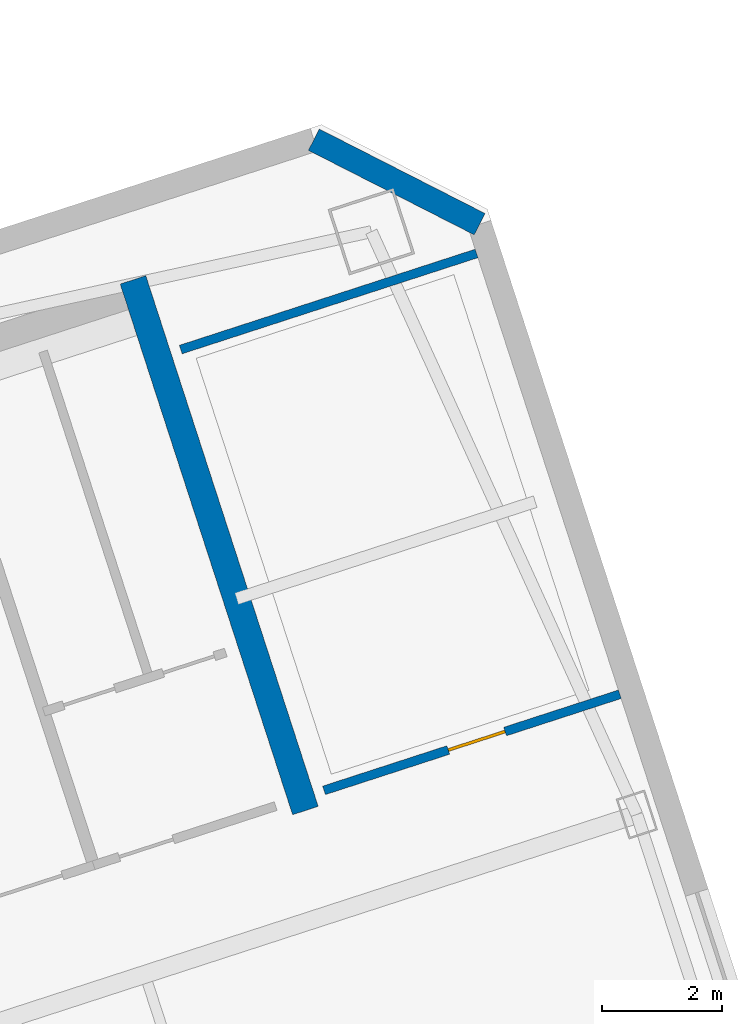
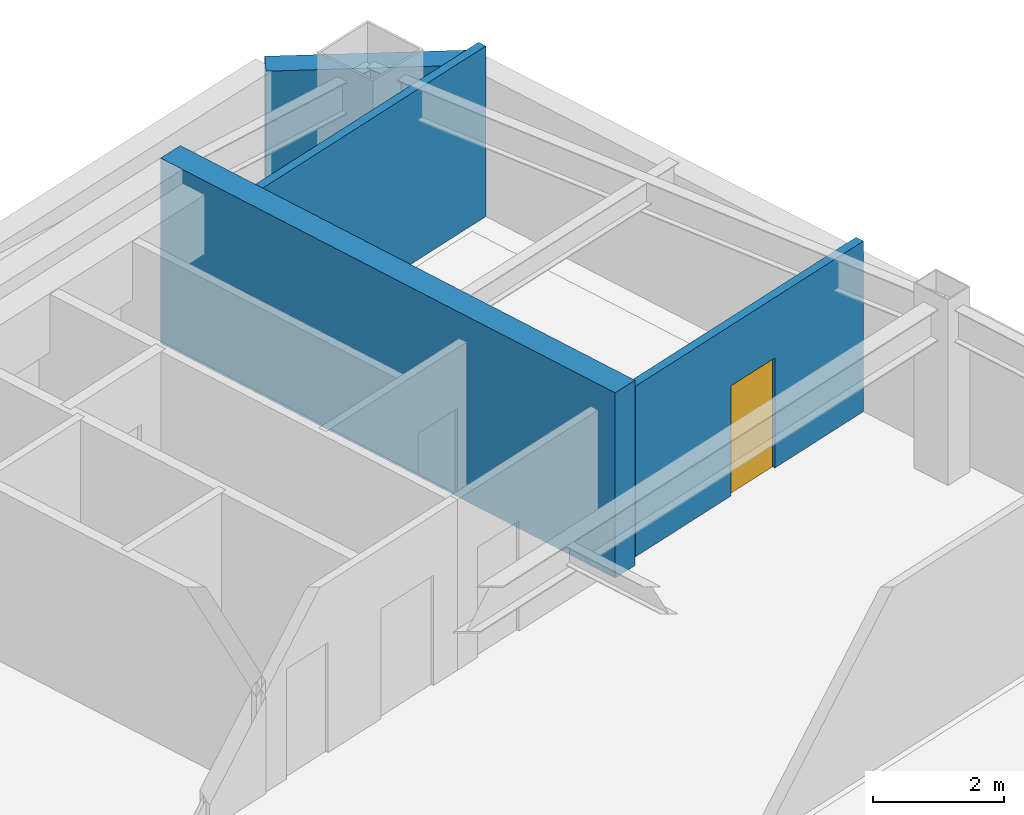
# One storey, part 11 of 18: 4 walls, 1 door, 1 opening.
"""IFC4 building model written with IfcOpenShell, lengths in metres."""

from ifc_helpers import new_model, si_unit, direction, frame, frame_2d, origin, place, context, subcontext, project, spatial, rectangle, extrude, material, layer, layer_set, type_object, element, fill, save


model = new_model("IFC4")

# Units and contexts
model_context = context("Model", 3, precision=1e-05, world=origin(), true_north=direction((0.0, 1.0)))
body_context = subcontext(model_context, "Body", "Model", "MODEL_VIEW")
ifc_project = project(units=[si_unit("LENGTHUNIT", "METRE"), si_unit("AREAUNIT", "SQUARE_METRE"), si_unit("VOLUMEUNIT", "CUBIC_METRE"), si_unit("PLANEANGLEUNIT", "RADIAN"), si_unit("MASSUNIT", "GRAM", prefix="KILO")], contexts=[model_context])

# Site, building, storey
site_placement = place(None, origin())
site = spatial("IfcSite", under=ifc_project, at=site_placement, CompositionType="ELEMENT")
building_placement = place(site_placement, origin())
building = spatial("IfcBuilding", under=site, at=building_placement, Name="Qiaolan Cultural Towers", CompositionType="ELEMENT")
storey_placement = place(building_placement, frame((0.0, 0.0, 219.64990234375)))
storey = spatial("IfcBuildingStorey", under=building, at=storey_placement, Name="L59", CompositionType="ELEMENT", Elevation=219.64990234375)

# Walls
ifc_material_1 = material(Name="Concrete C50", Category="concrete")
ifc_layer_1 = layer(ifc_material_1, 0.449951171875)
ifc_layer_set_1 = layer_set([ifc_layer_1], Name="Concrete C50")
wall_type_1 = type_object("IfcWallType", Name="WL-CORE-450", PredefinedType="SHEAR", material=ifc_layer_set_1)
wall_1_placement = place(storey_placement, frame((94.468994140625, 46.781494140625, 0.0), z_axis=(0.0, 0.0, 1.0), x_axis=(-0.309004419953, 0.951060601881, 0.0)))
element("IfcWall", 1, at=wall_1_placement, inside=storey, type_object=wall_type_1, Name="L59 T2-CN East Core Shear Wall", PredefinedType="SHEAR", context=body_context, shape_type="SweptSolid", body=[
    extrude(rectangle(XDim=9.330078125, YDim=0.449951171875, at=frame_2d((4.6650390625, 0.0))), origin(), (0.0, 0.0, 1.0), 3.4501953125),
])
ifc_material_2 = material(Name="Precast Concrete C50 Honed Stone Pier", Category="masonry")
ifc_layer_2 = layer(ifc_material_2, 0.39990234375)
ifc_layer_set_2 = layer_set([ifc_layer_2], Name="Precast Concrete C50 Honed Stone Pier")
wall_type_2 = type_object("IfcWallType", Name="WL-EXT-PIER-400", PredefinedType="SOLIDWALL", material=ifc_layer_set_2)
wall_2_placement = place(storey_placement, frame((94.609619140625, 57.9990234375, 0.0), z_axis=(0.0, 0.0, 1.0), x_axis=(0.890979603174, -0.454043331334, 0.0)))
element("IfcWall", 2, at=wall_2_placement, inside=storey, type_object=wall_type_2, Name="L59 East Tower Precast Pier Facade Wall F4", PredefinedType="SOLIDWALL", context=body_context, shape_type="SweptSolid", body=[
    extrude(rectangle(XDim=3.111083984375, YDim=0.39990234375, at=frame_2d((1.5556640625, 0.0))), origin(), (0.0, 0.0, 1.0), 2.610107421875),
])
ifc_material_3 = material(Name="Autoclaved Aerated Concrete Block B06", Category="concrete")
ifc_layer_3 = layer(ifc_material_3, 0.14990234375)
ifc_layer_set_3 = layer_set([ifc_layer_3], Name="Autoclaved Aerated Concrete Block B06")
wall_type_3 = type_object("IfcWallType", Name="WL-PART-150", PredefinedType="PARTITIONING", material=ifc_layer_set_3)
wall_3_placement = place(storey_placement, frame((92.385009765625, 54.48974609375, 0.0), z_axis=(0.0, 0.0, 1.0), x_axis=(0.951055112834, 0.309021313752, 0.0)))
element("IfcWall", 3, at=wall_3_placement, inside=storey, type_object=wall_type_3, Name="L59 T2 Flank Wall FLK-NE", PredefinedType="PARTITIONING", context=body_context, shape_type="SweptSolid", body=[
    extrude(rectangle(XDim=5.2001953125, YDim=0.14990234375, at=frame_2d((2.60009765625, 0.0))), origin(), (0.0, 0.0, 1.0), 3.175048828125),
])

# Wall, opening, door
wall_4_placement = place(storey_placement, frame((94.77978515625, 47.119140625, 0.0), z_axis=(0.0, 0.0, 1.0), x_axis=(0.951055112834, 0.309021313752, 0.0)))
wall_4 = element("IfcWall", 4, at=wall_4_placement, inside=storey, type_object=wall_type_3, Name="L59 T2 Flank Front FLK-NE", PredefinedType="PARTITIONING", context=body_context, shape_type="SweptSolid", body=[
    extrude(rectangle(XDim=5.2001953125, YDim=0.14990234375, at=frame_2d((2.60009765625, 0.0))), origin(), (0.0, 0.0, 1.0), 3.175048828125),
])
opening_placement = place(wall_4_placement, frame((2.18408203125, 0.0, 0.0)))
opening = element("IfcOpeningElement", 5, at=opening_placement, cuts=wall_4, Name="Opening ID-04", PredefinedType="OPENING", context=body_context, shape_type="SweptSolid", body=[
    extrude(rectangle(XDim=1.0, YDim=2.050048828125, at=frame_2d((0.5, 1.02490234375))), frame((0.0, 0.0849609375, 0.0), z_axis=(0.0, -1.0, 0.0), x_axis=(1.0, 0.0, 0.0)), (0.0, 0.0, 1.0), 0.169921875),
])
ifc_material_4 = material(Name="Oak Veneer Acoustic Office Door", Category="timber")
door_type = type_object("IfcDoorType", Name="DR-INT-1000", OperationType="NOTDEFINED", PredefinedType="DOOR", material=ifc_material_4)
door_placement = place(opening_placement, origin())
door = element("IfcDoor", 6, at=door_placement, inside=storey, type_object=door_type, Name="L59 T2 Corner Studio Door", OperationType="SINGLE_SWING_LEFT", OverallHeight=2.050048828125, OverallWidth=1.0, PredefinedType="DOOR", context=body_context, shape_type="SweptSolid", body=[
    extrude(rectangle(XDim=1.0, YDim=2.050048828125, at=frame_2d((0.5, 1.02490234375))), frame((0.0, 0.02490234375, 0.0), z_axis=(0.0, -1.0, 0.0), x_axis=(1.0, 0.0, 0.0)), (0.0, 0.0, 1.0), 0.050048828125),
])
fill(opening, door)

save(model, "model.ifc")
